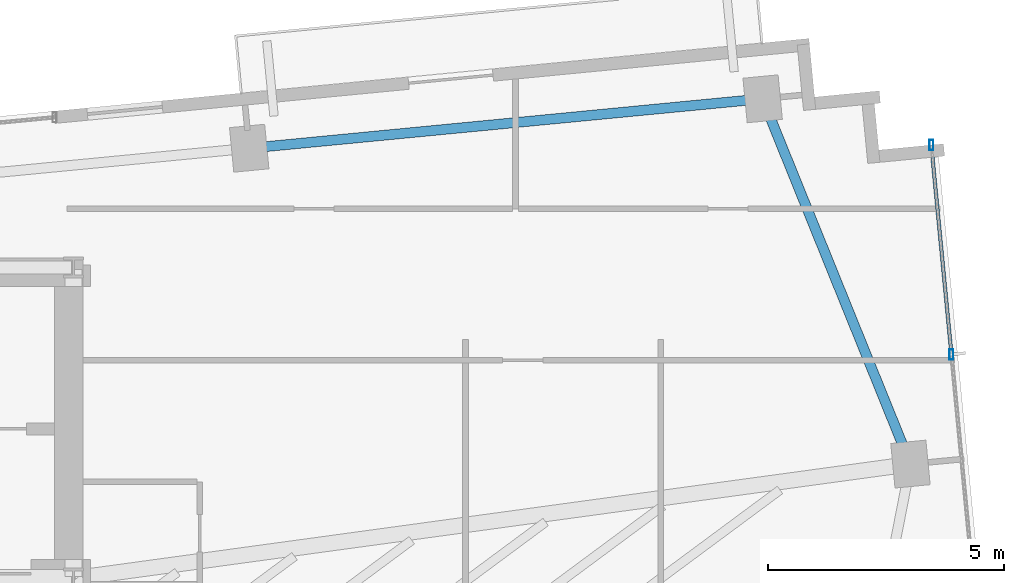
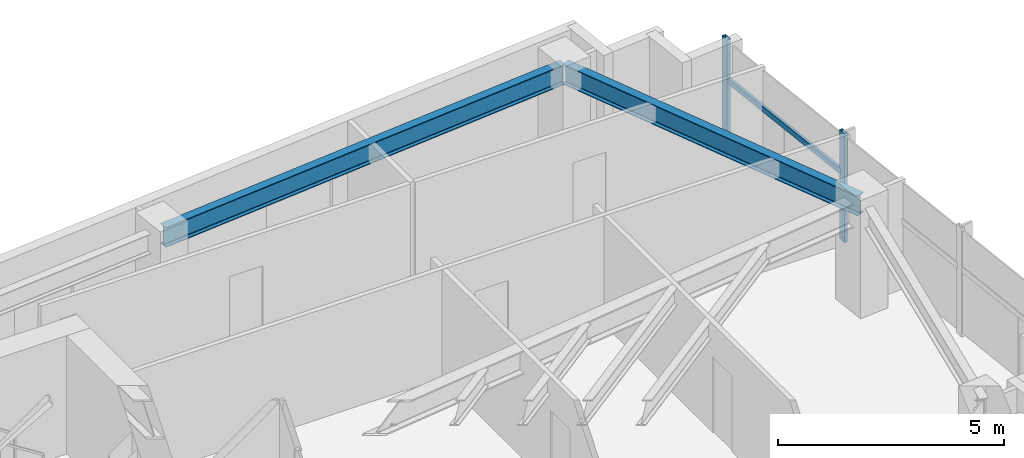
# One storey, part 11 of 18: 3 members, 2 beams, 1 element without a shape of its own.
"""IFC4 building model written with IfcOpenShell, lengths in metres."""

from ifc_helpers import new_model, si_unit, direction, frame, origin, origin_2d, place, context, subcontext, project, spatial, hollow_rectangle, i_section, extrude, source, transform, mapped, material, material_profile, profile_set, type_object, type_shapes, element, aggregate, save


model = new_model("IFC4")

# Units and contexts
model_context = context("Model", 3, precision=1e-05, world=origin(), true_north=direction((0.0, 1.0)))
body_context = subcontext(model_context, "Body", "Model", "MODEL_VIEW")
ifc_project = project(units=[si_unit("LENGTHUNIT", "METRE"), si_unit("AREAUNIT", "SQUARE_METRE"), si_unit("VOLUMEUNIT", "CUBIC_METRE"), si_unit("PLANEANGLEUNIT", "RADIAN"), si_unit("MASSUNIT", "GRAM", prefix="KILO")], contexts=[model_context])

# Site, building, storey
site_placement = place(None, origin())
site = spatial("IfcSite", under=ifc_project, at=site_placement, CompositionType="ELEMENT")
building_placement = place(site_placement, origin())
building = spatial("IfcBuilding", under=site, at=building_placement, Name="Astriad Promenade Condominiums", CompositionType="ELEMENT")
storey_placement = place(building_placement, frame((0.0, 0.0, 179.39990234375)))
storey = spatial("IfcBuildingStorey", under=building, at=storey_placement, Name="L51", CompositionType="ELEMENT", Elevation=179.39990234375)

# Beams
ifc_material_1 = material(Name="Steel ASTM A992 Grade 50", Category="steel")
ifc_material_profile_1 = material_profile(ifc_material_1, i_section(OverallWidth=0.210693359375, OverallDepth=0.53955078125, WebThickness=0.01171875, FlangeThickness=0.018798828125, FilletRadius=0.0166015625, at=origin_2d()), Name="W21X73")
ifc_profile_set_1 = profile_set([ifc_material_profile_1], Name="Steel ASTM A992 Grade 50")
beam_type = type_object("IfcBeamType", Name="STEEL SPANDREL BEAM W21X73", PredefinedType="SPANDREL", material=ifc_profile_set_1)
shared_shape_1 = source(origin(), body_context, "Body", "SweptSolid", [
    extrude(i_section(OverallWidth=0.210693359375, OverallDepth=0.53955078125, WebThickness=0.01171875, FlangeThickness=0.018798828125, FilletRadius=0.0166015625, at=origin_2d()), origin(), (0.0, 0.0, 1.0), 10.8701171875),
])
beam_1_placement = place(storey_placement, frame((60.190673828125, 27.578369140625, 2.67041015625), z_axis=(-0.995394986184, -0.09585834069, 0.0), x_axis=(0.09585834069, -0.995394986184, 0.0)))
element("IfcBeam", 1, at=beam_1_placement, inside=storey, type_object=beam_type, Name="Perimeter Spandrel Beam SP-N4-L51", PredefinedType="SPANDREL", context=body_context, shape_type="MappedRepresentation", body=[
    mapped(shared_shape_1, transform((0.0, 0.0, 0.0), scale=1.0)),
])
shared_shape_2 = source(origin(), body_context, "Body", "SweptSolid", [
    extrude(i_section(OverallWidth=0.210693359375, OverallDepth=0.53955078125, WebThickness=0.01171875, FlangeThickness=0.018798828125, FilletRadius=0.0166015625, at=origin_2d()), origin(), (0.0, 0.0, 1.0), 8.28564453125),
])
type_shapes(beam_type, [shared_shape_1, shared_shape_2])
beam_2_placement = place(storey_placement, frame((63.353271484375, 19.8642578125, 2.67041015625), z_axis=(-0.375070987134, 0.926996092014, 0.0), x_axis=(-0.926996092014, -0.375070987134, 0.0)))
element("IfcBeam", 2, at=beam_2_placement, inside=storey, type_object=beam_type, Name="Perimeter Spandrel Beam SP-E2-L51", PredefinedType="SPANDREL", context=body_context, shape_type="MappedRepresentation", body=[
    mapped(shared_shape_2, transform((0.0, 0.0, 0.0), scale=1.0)),
])

# Curtain wall, members
ifc_material_2 = material(Name="Anodised aluminium Black Dark Glass Unitised", Category="aluminium")
curtain_wall_type = type_object("IfcCurtainWallType", Name="CW-B34-DARK", PredefinedType="USERDEFINED", material=ifc_material_2)
curtain_wall_placement = place(storey_placement, origin())
curtain_wall = element("IfcCurtainWall", 3, at=curtain_wall_placement, inside=storey, type_object=curtain_wall_type, Name="CW-L51-E", ObjectType="UNITISED_CURTAIN_WALL", PredefinedType="USERDEFINED")
ifc_material_3 = material(Name="Anodised aluminium 6063-T6 Black", Category="aluminium")
ifc_material_profile_2 = material_profile(ifc_material_3, hollow_rectangle(XDim=0.0849609375, YDim=0.219970703125, WallThickness=0.0048828125, at=origin_2d()), Name="ALU-MUL-85X220")
ifc_profile_set_2 = profile_set([ifc_material_profile_2], Name="Anodised aluminium 6063-T6 Black")
member_type_1 = type_object("IfcMemberType", Name="MUL-ALU-MUL-85X220", PredefinedType="MULLION", material=ifc_profile_set_2)
shared_shape_3 = source(origin(), body_context, "Body", "SweptSolid", [
    extrude(hollow_rectangle(XDim=0.0849609375, YDim=0.219970703125, WallThickness=0.0048828125, at=origin_2d()), origin(), (0.0, 0.0, 1.0), 2.940185546875),
])
type_shapes(member_type_1, [shared_shape_3])
member_1_placement = place(storey_placement, frame((63.81103515625, 26.6005859375, 0.0), z_axis=(0.0, 0.0, 1.0), x_axis=(1.0, 0.0, 0.0)))
member_1 = element("IfcMember", 4, at=member_1_placement, type_object=member_type_1, Name="CW-L51-E-MUL-00", PredefinedType="MULLION", context=body_context, shape_type="MappedRepresentation", body=[
    mapped(shared_shape_3, transform((0.0, 0.0, 0.0), scale=1.0)),
])
member_2_placement = place(storey_placement, frame((64.239013671875, 22.154541015625, 0.0), z_axis=(0.0, 0.0, 1.0), x_axis=(1.0, 0.0, 0.0)))
member_2 = element("IfcMember", 5, at=member_2_placement, type_object=member_type_1, Name="CW-L51-E-MUL-01", PredefinedType="MULLION", context=body_context, shape_type="MappedRepresentation", body=[
    mapped(shared_shape_3, transform((0.0, 0.0, 0.0), scale=1.0)),
])
ifc_material_profile_3 = material_profile(ifc_material_3, hollow_rectangle(XDim=0.074951171875, YDim=0.14990234375, WallThickness=0.004150390625, at=origin_2d()), Name="ALU-TRN-75X150")
ifc_profile_set_3 = profile_set([ifc_material_profile_3], Name="Anodised aluminium 6063-T6 Black")
member_type_2 = type_object("IfcMemberType", Name="TRN-ALU-TRN-75X150", PredefinedType="USERDEFINED", material=ifc_profile_set_3)
shared_shape_4 = source(origin(), body_context, "Body", "SweptSolid", [
    extrude(hollow_rectangle(XDim=0.074951171875, YDim=0.14990234375, WallThickness=0.004150390625, at=origin_2d()), origin(), (0.0, 0.0, 1.0), 4.466552734375),
])
type_shapes(member_type_2, [shared_shape_4])
member_3_placement = place(storey_placement, frame((63.81103515625, 26.6005859375, 1.822998046875), z_axis=(0.095817598554, -0.995398908884, 0.0), x_axis=(0.995398908884, 0.095817598554, 0.0)))
member_3 = element("IfcMember", 6, at=member_3_placement, type_object=member_type_2, Name="CW-L51-E-TRN-00-0", ObjectType="TRANSOM", PredefinedType="USERDEFINED", context=body_context, shape_type="MappedRepresentation", body=[
    mapped(shared_shape_4, transform((0.0, 0.0, 0.0), scale=1.0)),
])
aggregate(curtain_wall, [member_1, member_2, member_3])

save(model, "model.ifc")
